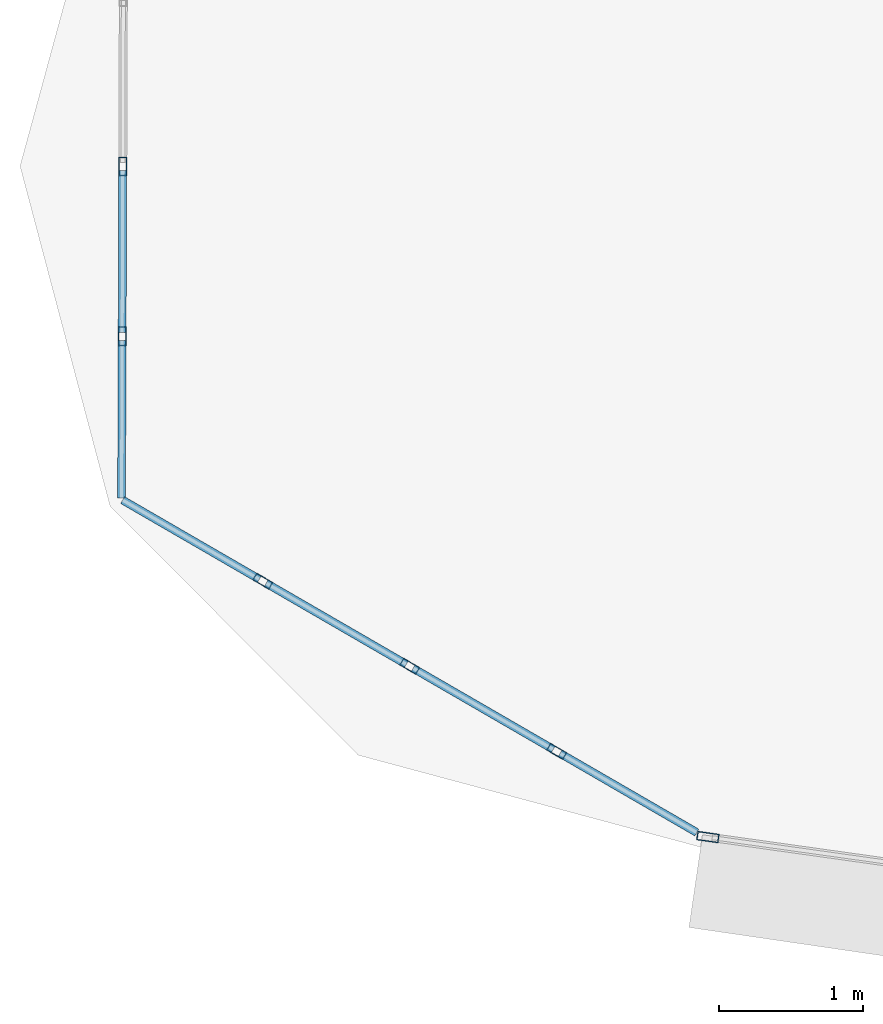
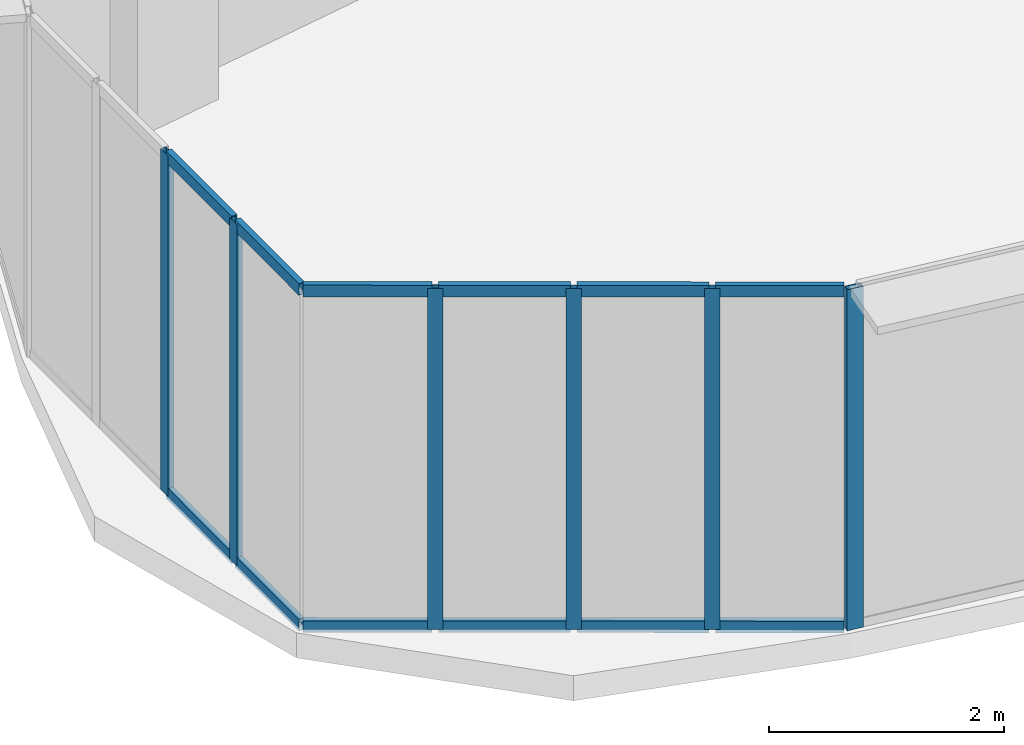
# One storey, part 2 of 37: 18 members, 3 elements without a shape of their own.
"""IFC4 building model written with IfcOpenShell, lengths in metres."""

from ifc_helpers import new_model, si_unit, direction, frame, origin, origin_2d, place, context, subcontext, project, spatial, hollow_rectangle, extrude, source, transform, mapped, material, layer, layer_set, material_profile, profile_set, type_object, element, aggregate, save


model = new_model("IFC4")

# Units and contexts
model_context = context("Model", 3, precision=1e-05, world=origin(), true_north=direction((0.0, 1.0)))
body_context = subcontext(model_context, "Body", "Model", "MODEL_VIEW")
ifc_project = project(units=[si_unit("LENGTHUNIT", "METRE"), si_unit("AREAUNIT", "SQUARE_METRE"), si_unit("VOLUMEUNIT", "CUBIC_METRE"), si_unit("PLANEANGLEUNIT", "RADIAN"), si_unit("MASSUNIT", "GRAM", prefix="KILO"), si_unit("THERMODYNAMICTEMPERATUREUNIT", "KELVIN"), si_unit("POWERUNIT", "WATT")], contexts=[model_context])

# Site, building, storey
site_placement = place(None, origin())
site = spatial("IfcSite", under=ifc_project, at=site_placement, CompositionType="ELEMENT")
building_placement = place(site_placement, origin())
building = spatial("IfcBuilding", under=site, at=building_placement, Name="Yunzhuo Pagoda Commons", CompositionType="ELEMENT")
storey_placement = place(building_placement, frame((0.0, 0.0, 207.56005859375)))
storey = spatial("IfcBuildingStorey", under=building, at=storey_placement, Name="L52", CompositionType="ELEMENT", Elevation=207.56005859375)

# Curtain wall, members
ifc_material = material(Name="Anodized aluminium 6063-T6", Category="aluminium")
ifc_layer_1 = layer(ifc_material, 0.1298828125)
ifc_layer_set_1 = layer_set([ifc_layer_1], Name="Anodized aluminium 6063-T6")
curtain_wall_type_1 = type_object("IfcCurtainWallType", Name="CW-VTX Rounded Corner Curtain Wall", PredefinedType="NOTDEFINED", material=ifc_layer_set_1)
curtain_wall_1_placement = place(storey_placement, origin())
curtain_wall_1 = element("IfcCurtainWall", 1, at=curtain_wall_1_placement, inside=storey, type_object=curtain_wall_type_1, Name="L52 curtain wall CW-L52-VTX1S1", PredefinedType="NOTDEFINED")
ifc_material_profile_1 = material_profile(ifc_material, hollow_rectangle(XDim=0.054931640625, YDim=0.1298828125, WallThickness=0.00341796875, at=origin_2d()), Name="Anodized aluminium 6063-T6")
ifc_profile_set_1 = profile_set([ifc_material_profile_1], Name="Anodized aluminium 6063-T6")
member_type_1 = type_object("IfcMemberType", Name="CW-VTX-M Mullion RHS 130x55x3.5", PredefinedType="MULLION", material=ifc_profile_set_1)
shared_shape_1 = source(origin(), body_context, "Body", "SweptSolid", [
    extrude(hollow_rectangle(XDim=0.054931640625, YDim=0.1298828125, WallThickness=0.00341796875, at=origin_2d()), origin(), (0.0, 0.0, 1.0), 3.5400390625),
])
member_1_placement = place(storey_placement, frame((10.021240234375, 22.297607421875, 0.0), z_axis=(0.0, 0.0, 1.0), x_axis=(0.999993564434, -0.00358763029, 0.0)))
member_1 = element("IfcMember", 2, at=member_1_placement, type_object=member_type_1, Name="CW mullion 3", PredefinedType="MULLION", context=body_context, shape_type="MappedRepresentation", body=[
    mapped(shared_shape_1, transform((0.0, 0.0, 0.0), scale=1.0)),
])
member_2_placement = place(storey_placement, frame((10.01708984375, 21.1201171875, 0.0), z_axis=(0.0, 0.0, 1.0), x_axis=(0.999993564434, -0.00358763029, 0.0)))
member_2 = element("IfcMember", 3, at=member_2_placement, type_object=member_type_1, Name="CW mullion 4", PredefinedType="MULLION", context=body_context, shape_type="MappedRepresentation", body=[
    mapped(shared_shape_1, transform((0.0, 0.0, 0.0), scale=1.0)),
])

curtain_wall_2_placement = place(storey_placement, origin())
curtain_wall_2 = element("IfcCurtainWall", 4, at=curtain_wall_2_placement, inside=storey, type_object=curtain_wall_type_1, Name="L52 curtain wall CW-L52-VTX1S2", PredefinedType="NOTDEFINED")
member_3_placement = place(storey_placement, frame((10.992431640625, 19.421875, 0.0), z_axis=(0.0, 0.0, 1.0), x_axis=(0.50103710735, 0.865425801013, 0.0)))
member_3 = element("IfcMember", 5, at=member_3_placement, type_object=member_type_1, Name="CW mullion 2", PredefinedType="MULLION", context=body_context, shape_type="MappedRepresentation", body=[
    mapped(shared_shape_1, transform((0.0, 0.0, 0.0), scale=1.0)),
])
member_4_placement = place(storey_placement, frame((12.011474609375, 18.831787109375, 0.0), z_axis=(0.0, 0.0, 1.0), x_axis=(0.50103710735, 0.865425801013, 0.0)))
member_4 = element("IfcMember", 6, at=member_4_placement, type_object=member_type_1, Name="CW mullion 3", PredefinedType="MULLION", context=body_context, shape_type="MappedRepresentation", body=[
    mapped(shared_shape_1, transform((0.0, 0.0, 0.0), scale=1.0)),
])
member_5_placement = place(storey_placement, frame((13.030517578125, 18.24169921875, 0.0), z_axis=(0.0, 0.0, 1.0), x_axis=(0.50103710735, 0.865425801013, 0.0)))
member_5 = element("IfcMember", 7, at=member_5_placement, type_object=member_type_1, Name="CW mullion 4", PredefinedType="MULLION", context=body_context, shape_type="MappedRepresentation", body=[
    mapped(shared_shape_1, transform((0.0, 0.0, 0.0), scale=1.0)),
])

# Curtain wall, member
ifc_layer_2 = layer(ifc_material, 0.14990234375)
ifc_layer_set_2 = layer_set([ifc_layer_2], Name="Anodized aluminium 6063-T6")
curtain_wall_type_2 = type_object("IfcCurtainWallType", Name="CW-MID Mid-Zone Ribbon Curtain Wall", PredefinedType="NOTDEFINED", material=ifc_layer_set_2)
curtain_wall_3_placement = place(storey_placement, origin())
curtain_wall_3 = element("IfcCurtainWall", 8, at=curtain_wall_3_placement, inside=storey, type_object=curtain_wall_type_2, Name="L52 curtain wall CW-L52-F1B1", PredefinedType="NOTDEFINED")
ifc_material_profile_2 = material_profile(ifc_material, hollow_rectangle(XDim=0.06005859375, YDim=0.14990234375, WallThickness=0.00390625, at=origin_2d()), Name="Anodized aluminium 6063-T6")
ifc_profile_set_2 = profile_set([ifc_material_profile_2], Name="Anodized aluminium 6063-T6")
member_type_2 = type_object("IfcMemberType", Name="CW-MID-M Mullion RHS 150x60x4", PredefinedType="MULLION", material=ifc_profile_set_2)
shared_shape_2 = source(origin(), body_context, "Body", "SweptSolid", [
    extrude(hollow_rectangle(XDim=0.06005859375, YDim=0.14990234375, WallThickness=0.00390625, at=origin_2d()), origin(), (0.0, 0.0, 1.0), 3.5400390625),
])
member_6_placement = place(storey_placement, frame((14.079345703125, 17.6474609375, 0.0), z_axis=(0.0, 0.0, 1.0), x_axis=(0.138819494362, 0.990317700531, 0.0)))
member_6 = element("IfcMember", 9, at=member_6_placement, type_object=member_type_2, Name="CW mullion 1", PredefinedType="MULLION", context=body_context, shape_type="MappedRepresentation", body=[
    mapped(shared_shape_2, transform((0.0, 0.0, 0.0), scale=1.0)),
])
aggregate(curtain_wall_3, [member_6])

# Member
ifc_material_profile_3 = material_profile(ifc_material, hollow_rectangle(XDim=0.054931640625, YDim=0.1201171875, WallThickness=0.00341796875, at=origin_2d()), Name="Anodized aluminium 6063-T6")
ifc_profile_set_3 = profile_set([ifc_material_profile_3], Name="Anodized aluminium 6063-T6")
member_type_3 = type_object("IfcMemberType", Name="CW-VTX-T Transom RHS 120x55x3.5", PredefinedType="USERDEFINED", material=ifc_profile_set_3)
shared_shape_3 = source(origin(), body_context, "Body", "SweptSolid", [
    extrude(hollow_rectangle(XDim=0.054931640625, YDim=0.1201171875, WallThickness=0.00341796875, at=origin_2d()), origin(), (0.0, 0.0, 1.0), 1.094970703125),
])
member_7_placement = place(storey_placement, frame((10.01708984375, 21.092529296875, 0.02734375), z_axis=(-0.003567424345, -0.999993636722, 0.0), x_axis=(0.999993636722, -0.003567424345, 0.0)))
member_7 = element("IfcMember", 10, at=member_7_placement, type_object=member_type_3, Name="CW transom 4.1", ObjectType="TRANSOM", PredefinedType="USERDEFINED", context=body_context, shape_type="MappedRepresentation", body=[
    mapped(shared_shape_3, transform((0.0, 0.0, 0.0), scale=1.0)),
])

member_8_placement = place(storey_placement, frame((10.01708984375, 21.092529296875, 3.512451171875), z_axis=(-0.003567424345, -0.999993636722, 0.0), x_axis=(0.999993636722, -0.003567424345, 0.0)))
member_8 = element("IfcMember", 11, at=member_8_placement, type_object=member_type_3, Name="CW transom 4.2", ObjectType="TRANSOM", PredefinedType="USERDEFINED", context=body_context, shape_type="MappedRepresentation", body=[
    mapped(shared_shape_3, transform((0.0, 0.0, 0.0), scale=1.0)),
])

shared_shape_4 = source(origin(), body_context, "Body", "SweptSolid", [
    extrude(hollow_rectangle(XDim=0.054931640625, YDim=0.1201171875, WallThickness=0.00341796875, at=origin_2d()), origin(), (0.0, 0.0, 1.0), 1.122802734375),
])
member_9_placement = place(storey_placement, frame((10.021240234375, 22.270263671875, 0.02734375), z_axis=(-0.003478996124, -0.999993948275, 0.0), x_axis=(0.999993948275, -0.003478996124, 0.0)))
member_9 = element("IfcMember", 12, at=member_9_placement, type_object=member_type_3, Name="CW transom 3.1", ObjectType="TRANSOM", PredefinedType="USERDEFINED", context=body_context, shape_type="MappedRepresentation", body=[
    mapped(shared_shape_4, transform((0.0, 0.0, 0.0), scale=1.0)),
])

member_10_placement = place(storey_placement, frame((10.021240234375, 22.270263671875, 3.512451171875), z_axis=(-0.003478996124, -0.999993948275, 0.0), x_axis=(0.999993948275, -0.003478996124, 0.0)))
member_10 = element("IfcMember", 13, at=member_10_placement, type_object=member_type_3, Name="CW transom 3.2", ObjectType="TRANSOM", PredefinedType="USERDEFINED", context=body_context, shape_type="MappedRepresentation", body=[
    mapped(shared_shape_4, transform((0.0, 0.0, 0.0), scale=1.0)),
])

aggregate(curtain_wall_1, [member_1, member_2, member_9, member_10, member_7, member_8])

member_11_placement = place(storey_placement, frame((11.015869140625, 19.407958984375, 0.02734375), z_axis=(0.865446134898, -0.501001983619, 0.0), x_axis=(0.501001983619, 0.865446134898, 0.0)))
member_11 = element("IfcMember", 14, at=member_11_placement, type_object=member_type_3, Name="CW transom 2.1", ObjectType="TRANSOM", PredefinedType="USERDEFINED", context=body_context, shape_type="MappedRepresentation", body=[
    mapped(shared_shape_4, transform((0.0, 0.0, 0.0), scale=1.0)),
])

member_12_placement = place(storey_placement, frame((11.015869140625, 19.407958984375, 3.512451171875), z_axis=(0.865446134898, -0.501001983619, 0.0), x_axis=(0.501001983619, 0.865446134898, 0.0)))
member_12 = element("IfcMember", 15, at=member_12_placement, type_object=member_type_3, Name="CW transom 2.2", ObjectType="TRANSOM", PredefinedType="USERDEFINED", context=body_context, shape_type="MappedRepresentation", body=[
    mapped(shared_shape_4, transform((0.0, 0.0, 0.0), scale=1.0)),
])

member_13_placement = place(storey_placement, frame((12.03515625, 18.818115234375, 0.02734375), z_axis=(0.865446134898, -0.501001983619, 0.0), x_axis=(0.501001983619, 0.865446134898, 0.0)))
member_13 = element("IfcMember", 16, at=member_13_placement, type_object=member_type_3, Name="CW transom 3.1", ObjectType="TRANSOM", PredefinedType="USERDEFINED", context=body_context, shape_type="MappedRepresentation", body=[
    mapped(shared_shape_4, transform((0.0, 0.0, 0.0), scale=1.0)),
])

member_14_placement = place(storey_placement, frame((12.03515625, 18.818115234375, 3.512451171875), z_axis=(0.865446134898, -0.501001983619, 0.0), x_axis=(0.501001983619, 0.865446134898, 0.0)))
member_14 = element("IfcMember", 17, at=member_14_placement, type_object=member_type_3, Name="CW transom 3.2", ObjectType="TRANSOM", PredefinedType="USERDEFINED", context=body_context, shape_type="MappedRepresentation", body=[
    mapped(shared_shape_4, transform((0.0, 0.0, 0.0), scale=1.0)),
])

shared_shape_5 = source(origin(), body_context, "Body", "SweptSolid", [
    extrude(hollow_rectangle(XDim=0.054931640625, YDim=0.1201171875, WallThickness=0.00341796875, at=origin_2d()), origin(), (0.0, 0.0, 1.0), 1.09521484375),
])
member_15_placement = place(storey_placement, frame((10.0205078125, 19.984375, 0.02734375), z_axis=(0.865375407163, -0.501124140985, 0.0), x_axis=(0.501124140985, 0.865375407163, 0.0)))
member_15 = element("IfcMember", 18, at=member_15_placement, type_object=member_type_3, Name="CW transom 1.1", ObjectType="TRANSOM", PredefinedType="USERDEFINED", context=body_context, shape_type="MappedRepresentation", body=[
    mapped(shared_shape_5, transform((0.0, 0.0, 0.0), scale=1.0)),
])

member_16_placement = place(storey_placement, frame((10.0205078125, 19.984375, 3.512451171875), z_axis=(0.865375407163, -0.501124140985, 0.0), x_axis=(0.501124140985, 0.865375407163, 0.0)))
member_16 = element("IfcMember", 19, at=member_16_placement, type_object=member_type_3, Name="CW transom 1.2", ObjectType="TRANSOM", PredefinedType="USERDEFINED", context=body_context, shape_type="MappedRepresentation", body=[
    mapped(shared_shape_5, transform((0.0, 0.0, 0.0), scale=1.0)),
])

member_17_placement = place(storey_placement, frame((13.054443359375, 18.22802734375, 0.02734375), z_axis=(0.865375407163, -0.501124140985, 0.0), x_axis=(0.501124140985, 0.865375407163, 0.0)))
member_17 = element("IfcMember", 20, at=member_17_placement, type_object=member_type_3, Name="CW transom 4.1", ObjectType="TRANSOM", PredefinedType="USERDEFINED", context=body_context, shape_type="MappedRepresentation", body=[
    mapped(shared_shape_5, transform((0.0, 0.0, 0.0), scale=1.0)),
])

member_18_placement = place(storey_placement, frame((13.054443359375, 18.22802734375, 3.512451171875), z_axis=(0.865375407163, -0.501124140985, 0.0), x_axis=(0.501124140985, 0.865375407163, 0.0)))
member_18 = element("IfcMember", 21, at=member_18_placement, type_object=member_type_3, Name="CW transom 4.2", ObjectType="TRANSOM", PredefinedType="USERDEFINED", context=body_context, shape_type="MappedRepresentation", body=[
    mapped(shared_shape_5, transform((0.0, 0.0, 0.0), scale=1.0)),
])

aggregate(curtain_wall_2, [member_3, member_4, member_5, member_15, member_16, member_11, member_12, member_13, member_14, member_17, member_18])

save(model, "model.ifc")
